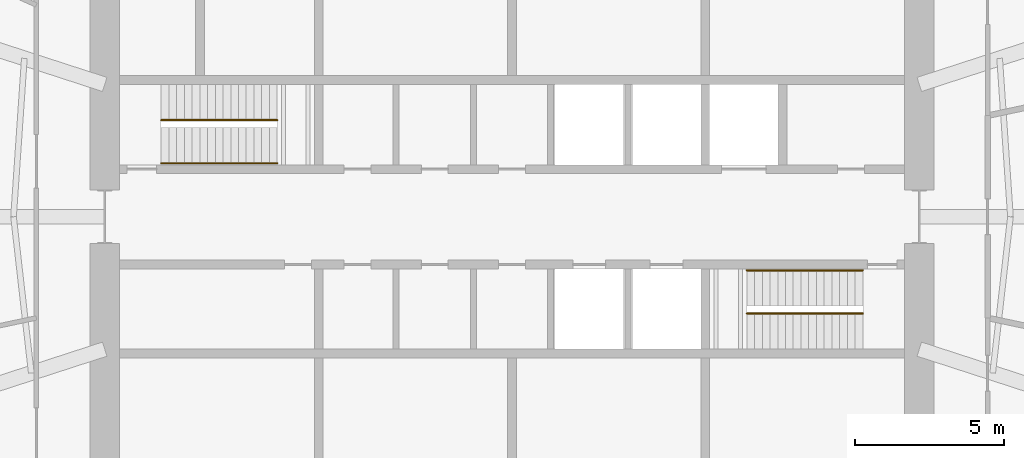
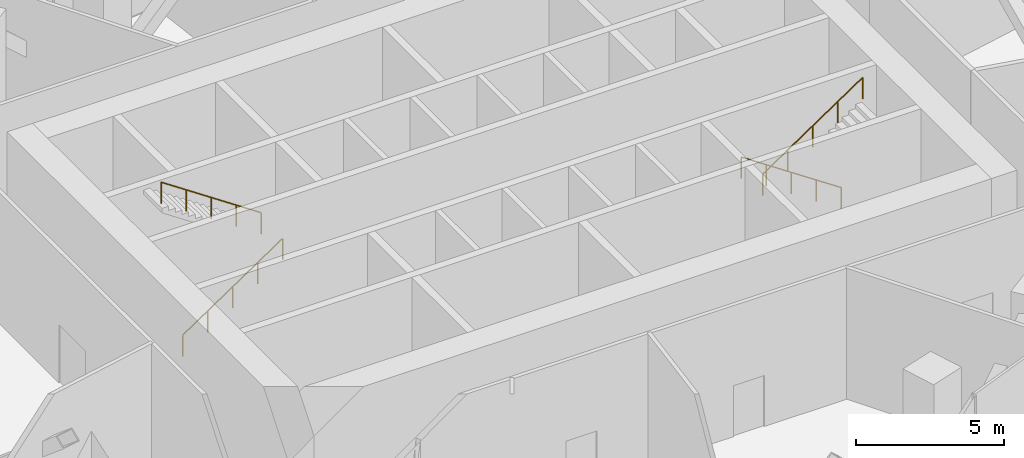
# One storey, part 13 of 13: 4 railings.
"""IFC4 building model written with IfcOpenShell, lengths in metres."""

from ifc_helpers import new_model, si_unit, direction, frame, origin, origin_2d, place, context, subcontext, project, spatial, circle, extrude, material, type_object, element, save


model = new_model("IFC4")

# Units and contexts
model_context = context("Model", 3, precision=1e-05, world=origin(), true_north=direction((0.0, 1.0)))
body_context = subcontext(model_context, "Body", "Model", "MODEL_VIEW")
ifc_project = project(units=[si_unit("LENGTHUNIT", "METRE"), si_unit("AREAUNIT", "SQUARE_METRE"), si_unit("VOLUMEUNIT", "CUBIC_METRE"), si_unit("PLANEANGLEUNIT", "RADIAN"), si_unit("MASSUNIT", "GRAM", prefix="KILO")], contexts=[model_context])

# Site, building, storey
site_placement = place(None, origin())
site = spatial("IfcSite", under=ifc_project, at=site_placement, CompositionType="ELEMENT")
building_placement = place(site_placement, origin())
building = spatial("IfcBuilding", under=site, at=building_placement, Name="Marramba Exchange Tower", CompositionType="ELEMENT")
storey_placement = place(building_placement, frame((0.0, 0.0, 246.199951171875)))
storey = spatial("IfcBuildingStorey", under=building, at=storey_placement, Name="L60", CompositionType="ELEMENT", Elevation=246.199951171875)

# Railings
ifc_material = material(Name="Stainless steel handrail", Category="steel")
railing_type = type_object("IfcRailingType", Name="Stair handrail 900", PredefinedType="HANDRAIL", material=ifc_material)
railing_1_placement = place(storey_placement, frame((-11.800048828125, 1.800048828125, 0.175048828125)))
element("IfcRailing", 1, at=railing_1_placement, inside=storey, type_object=railing_type, Name="Handrail HR1 ST1 L60 flight 1", PredefinedType="HANDRAIL", context=body_context, shape_type="SweptSolid", body=[
    extrude(circle(Radius=0.02392578125, at=origin_2d()), frame((0.0, 0.0, 0.8759765625), z_axis=(0.829597462249, 0.0, 0.558361935155), x_axis=(0.0, 1.0, 0.0)), (0.0, 0.0, 1.0), 4.701171875),
    extrude(circle(Radius=0.02099609375, at=origin_2d()), origin(), (0.0, 0.0, 1.0), 0.851806640625),
    extrude(circle(Radius=0.02099609375, at=origin_2d()), frame((0.97509765625, 0.0, 0.65625)), (0.0, 0.0, 1.0), 0.851806640625),
    extrude(circle(Radius=0.02099609375, at=origin_2d()), frame((1.9501953125, 0.0, 1.3125)), (0.0, 0.0, 1.0), 0.851806640625),
    extrude(circle(Radius=0.02099609375, at=origin_2d()), frame((2.925048828125, 0.0, 1.96875)), (0.0, 0.0, 1.0), 0.851806640625),
    extrude(circle(Radius=0.02099609375, at=origin_2d()), frame((3.900146484375, 0.0, 2.625)), (0.0, 0.0, 1.0), 0.851806640625),
])
for number, where, name in (
    (2, (-7.89990234375, 3.25, 2.97509765625), "Handrail HR1 ST1 L60 flight 2"),
    (3, (11.800048828125, -1.800048828125, 0.175048828125), "Handrail HR1 ST2 L60 flight 1"),
):
    element("IfcRailing", number, at=place(storey_placement, frame(where)), inside=storey, type_object=railing_type, Name=name, PredefinedType="HANDRAIL", context=body_context, shape_type="SweptSolid", body=[
        extrude(circle(Radius=0.02392578125, at=origin_2d()), frame((0.0, 0.0, 0.8759765625), z_axis=(-0.829597462249, 0.0, 0.558361935155), x_axis=(0.0, -1.0, 0.0)), (0.0, 0.0, 1.0), 4.701171875),
        extrude(circle(Radius=0.02099609375, at=origin_2d()), origin(), (0.0, 0.0, 1.0), 0.851806640625),
        extrude(circle(Radius=0.02099609375, at=origin_2d()), frame((-0.97509765625, 0.0, 0.65625)), (0.0, 0.0, 1.0), 0.851806640625),
        extrude(circle(Radius=0.02099609375, at=origin_2d()), frame((-1.9501953125, 0.0, 1.3125)), (0.0, 0.0, 1.0), 0.851806640625),
        extrude(circle(Radius=0.02099609375, at=origin_2d()), frame((-2.925048828125, 0.0, 1.96875)), (0.0, 0.0, 1.0), 0.851806640625),
        extrude(circle(Radius=0.02099609375, at=origin_2d()), frame((-3.900146484375, 0.0, 2.625)), (0.0, 0.0, 1.0), 0.851806640625),
    ])
railing_2_placement = place(storey_placement, frame((7.89990234375, -3.25, 2.97509765625)))
element("IfcRailing", 4, at=railing_2_placement, inside=storey, type_object=railing_type, Name="Handrail HR1 ST2 L60 flight 2", PredefinedType="HANDRAIL", context=body_context, shape_type="SweptSolid", body=[
    extrude(circle(Radius=0.02392578125, at=origin_2d()), frame((0.0, 0.0, 0.8759765625), z_axis=(0.829597462249, 0.0, 0.558361935155), x_axis=(0.0, 1.0, 0.0)), (0.0, 0.0, 1.0), 4.701171875),
    extrude(circle(Radius=0.02099609375, at=origin_2d()), origin(), (0.0, 0.0, 1.0), 0.851806640625),
    extrude(circle(Radius=0.02099609375, at=origin_2d()), frame((0.97509765625, 0.0, 0.65625)), (0.0, 0.0, 1.0), 0.851806640625),
    extrude(circle(Radius=0.02099609375, at=origin_2d()), frame((1.9501953125, 0.0, 1.3125)), (0.0, 0.0, 1.0), 0.851806640625),
    extrude(circle(Radius=0.02099609375, at=origin_2d()), frame((2.925048828125, 0.0, 1.96875)), (0.0, 0.0, 1.0), 0.851806640625),
    extrude(circle(Radius=0.02099609375, at=origin_2d()), frame((3.900146484375, 0.0, 2.625)), (0.0, 0.0, 1.0), 0.851806640625),
])

save(model, "model.ifc")
